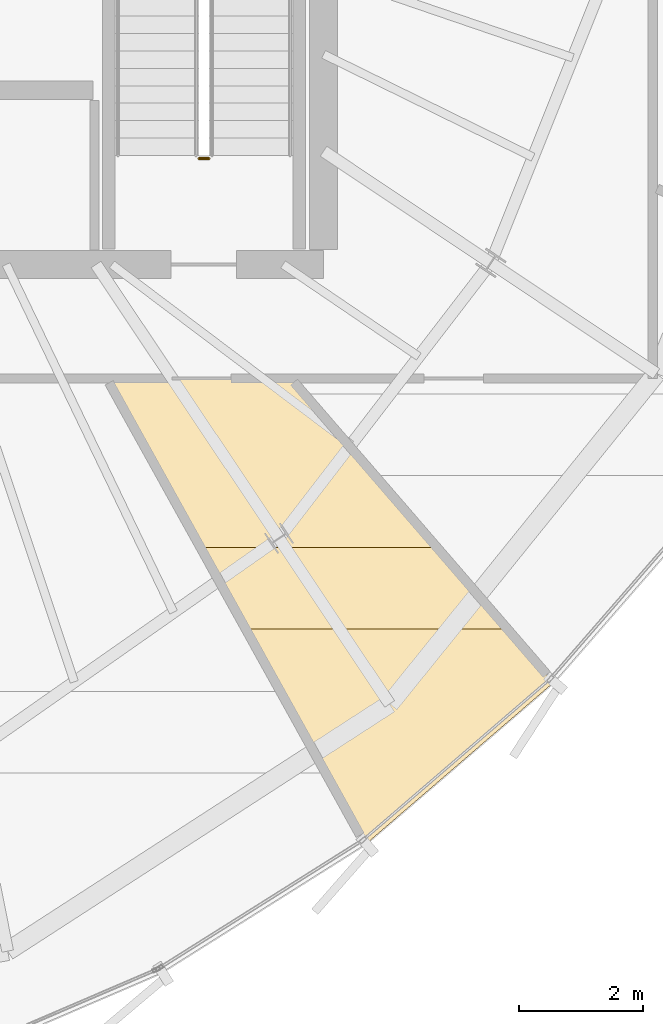
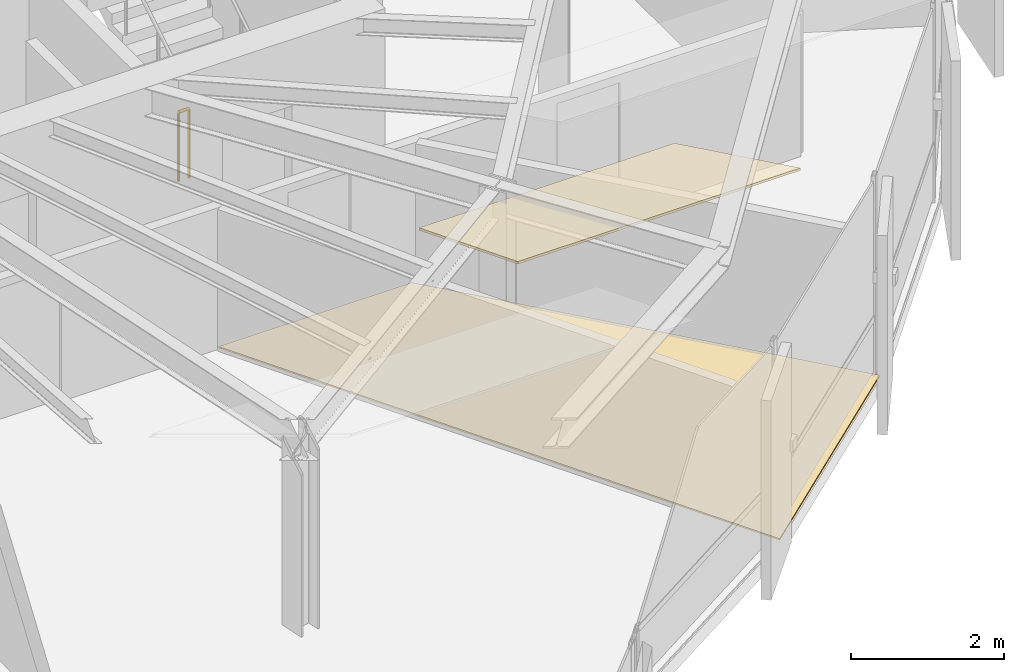
# One storey, part 33 of 35: 2 coverings, 1 railing.
"""IFC4 building model written with IfcOpenShell, lengths in metres."""

import ifcopenshell
import ifcopenshell.guid

model = None  # the IFC model being written
_history = None  # IfcOwnerHistory: only IFC2X3 demands one
_inside = {}  # id of a spatial element -> (the spatial element, [elements in it])
_under = {}  # id of a project, library or spatial element -> (it, [spatial elements below it])
_declared = {}  # id of a project -> (the project, [libraries it declares])
_typed = {}  # id of a type object -> (the type object, [elements of that type])
_made_of = {}  # id of a material, layer set ... -> (it, [elements and type objects made of it])


def new_model(schema):
    """Start an empty IFC model of exactly this schema.

    Asked for "IFC4X3", IfcOpenShell would pick the latest addendum, in which some entities
    have other attributes; the version numbers below select the first issue.
    IFC2X3 requires an IfcOwnerHistory on every rooted entity: one is made here for all.
    """
    global model, _history
    if schema == "IFC4X3":
        model = ifcopenshell.file(schema_version=(4, 3, 0, 0))
    else:
        model = ifcopenshell.file(schema=schema)
    _inside.clear()
    _under.clear()
    _declared.clear()
    _typed.clear()
    _made_of.clear()
    _history = None
    if model.schema == "IFC2X3":
        org = make("IfcOrganization", Name="unknown")
        user = make(
            "IfcPersonAndOrganization",
            ThePerson=make("IfcPerson", FamilyName="unknown"),
            TheOrganization=org,
        )
        app = make(
            "IfcApplication",
            ApplicationDeveloper=org,
            Version="unknown",
            ApplicationFullName="unknown",
            ApplicationIdentifier="unknown",
        )
        _history = make(
            "IfcOwnerHistory",
            OwningUser=user,
            OwningApplication=app,
            ChangeAction="ADDED",
            CreationDate=0,
        )
    return model


def make(cls, **values):
    """One entity of the class cls with the attributes given. An attribute that is None is left unset."""
    return model.create_entity(
        cls, **{name: value for name, value in values.items() if value is not None}
    )


def rooted(cls, **values):
    """An entity with a GlobalId (a new one), such as an element, a storey or a relation."""
    return make(cls, GlobalId=ifcopenshell.guid.new(), OwnerHistory=_history, **values)


def si_unit(unit_type, name, prefix=None):
    """IfcSIUnit, for example si_unit("LENGTHUNIT", "METRE", prefix="MILLI")."""
    return make("IfcSIUnit", UnitType=unit_type, Prefix=prefix, Name=name)


def assignment(units):
    """IfcUnitAssignment: the units of a project."""
    return None if units is None else make("IfcUnitAssignment", Units=units)


def point(xyz):
    """IfcCartesianPoint."""
    return None if xyz is None else make("IfcCartesianPoint", Coordinates=xyz)


def direction(xyz):
    """IfcDirection."""
    return None if xyz is None else make("IfcDirection", DirectionRatios=xyz)


def frame(location, z_axis=None, x_axis=None):
    """IfcAxis2Placement3D, a coordinate frame: its origin and axes. An axis left out is left unset."""
    return make(
        "IfcAxis2Placement3D",
        Location=point(location),
        Axis=direction(z_axis),
        RefDirection=direction(x_axis),
    )


def frame_2d(location, x_axis=None):
    """IfcAxis2Placement2D, a coordinate frame in the plane: its origin and x axis."""
    return make(
        "IfcAxis2Placement2D", Location=point(location), RefDirection=direction(x_axis)
    )


def origin():
    """The frame at (0, 0, 0) with its axes left unset."""
    return frame((0.0, 0.0, 0.0))


def origin_2d():
    """The frame at (0, 0) in the plane with its x axis left unset."""
    return frame_2d((0.0, 0.0))


def place(relative_to, where):
    """IfcLocalPlacement: puts the frame where relative to a parent placement (None: the world)."""
    return make(
        "IfcLocalPlacement", PlacementRelTo=relative_to, RelativePlacement=where
    )


def context(
    kind, dimensions, precision=None, world=None, true_north=None, identifier=None
):
    """IfcGeometricRepresentationContext, for example the 3D "Model" context."""
    return make(
        "IfcGeometricRepresentationContext",
        ContextIdentifier=identifier,
        ContextType=kind,
        CoordinateSpaceDimension=dimensions,
        Precision=precision,
        WorldCoordinateSystem=world,
        TrueNorth=true_north,
    )


def subcontext(parent, identifier, kind, view, scale=None):
    """IfcGeometricRepresentationSubContext, for example "Body" below "Model"."""
    return make(
        "IfcGeometricRepresentationSubContext",
        ContextIdentifier=identifier,
        ContextType=kind,
        ParentContext=parent,
        TargetScale=scale,
        TargetView=view,
    )


def project(units=None, contexts=None):
    """IfcProject with its units and contexts."""
    return rooted(
        "IfcProject",
        Name="project",
        RepresentationContexts=contexts,
        UnitsInContext=assignment(units),
    )


def spatial(cls, under=None, at=None, **own):
    """A site, building, storey or space (cls), placed at a placement, below another one or the project."""
    s = rooted(cls, ObjectPlacement=at, **own)
    if under is not None:
        _under.setdefault(under.id(), (under, []))[1].append(s)
    return s


def polyline(points):
    """IfcPolyline through the points."""
    return make("IfcPolyline", Points=[point(p) for p in points])


def profile(cls, at=None, kind="AREA", **sizes):
    """A parametric profile (cls). Its sizes go by their IFC names, for example OverallWidth=200.0."""
    return make(cls, ProfileType=kind, Position=at, **sizes)


def circle(**sizes):
    """IfcCircleProfileDef."""
    return profile("IfcCircleProfileDef", **sizes)


def outline(outer, holes=None, kind="AREA"):
    """IfcArbitraryClosedProfileDef: a profile drawn as a closed curve; with holes, ...WithVoids."""
    if holes is None:
        return make("IfcArbitraryClosedProfileDef", ProfileType=kind, OuterCurve=outer)
    return make(
        "IfcArbitraryProfileDefWithVoids",
        ProfileType=kind,
        OuterCurve=outer,
        InnerCurves=holes,
    )


def extrude(swept, where, along, depth):
    """IfcExtrudedAreaSolid: the profile swept, set in the frame where, extruded along a direction by depth."""
    return make(
        "IfcExtrudedAreaSolid",
        SweptArea=swept,
        Position=where,
        ExtrudedDirection=direction(along),
        Depth=depth,
    )


def shape(context_of_items, identifier, shape_type, items):
    """IfcShapeRepresentation: the items that make up one representation, for example the "Body"."""
    return make(
        "IfcShapeRepresentation",
        ContextOfItems=context_of_items,
        RepresentationIdentifier=identifier,
        RepresentationType=shape_type,
        Items=items,
    )


def material(Name=None, Category=None):
    """IfcMaterial."""
    return make("IfcMaterial", Name=Name, Category=Category)


def layer(
    of_material, thickness, ventilated=None, Name=None, Category=None, Priority=None
):
    """IfcMaterialLayer: one layer of a wall or slab, of a material (None: an air gap)."""
    return make(
        "IfcMaterialLayer",
        Material=of_material,
        LayerThickness=thickness,
        IsVentilated=ventilated,
        Name=Name,
        Category=Category,
        Priority=Priority,
    )


def layer_set(layers, Name=None):
    """IfcMaterialLayerSet."""
    return make("IfcMaterialLayerSet", MaterialLayers=layers, LayerSetName=Name)


def made_of(thing, what):
    """Note that an element or type object is made of a material, layer set ...; save() writes the relation."""
    if what is not None:
        _made_of.setdefault(what.id(), (what, []))[1].append(thing)
    return thing


def type_object(cls, material=None, **own):
    """A type object (cls), such as IfcWallType, which elements share."""
    return made_of(rooted(cls, **own), material)


def element(
    cls,
    number,
    at=None,
    inside=None,
    cuts=None,
    type_object=None,
    material=None,
    context=None,
    identifier="Body",
    shape_type=None,
    held_by="IfcProductDefinitionShape",
    body=None,
    shapes=None,
    **own,
):
    """One element of the class cls, such as IfcWall. Its Tag is "e" and its number.

    at: its placement. inside: the storey or other place that contains it. cuts: it is an
    opening in that element (IfcRelVoidsElement). A single representation is given by context,
    identifier, shape_type and body (its items); several are given by shapes. held_by: the class
    of the entity that holds the representations. save() writes the other relations.
    """
    e = rooted(cls, Tag="e%d" % number, ObjectPlacement=at, **own)
    if body is not None:
        shapes = [shape(context, identifier, shape_type, body)]
    if shapes is not None:
        e.Representation = make(held_by, Representations=shapes)
    if inside is not None:
        _inside.setdefault(inside.id(), (inside, []))[1].append(e)
    if cuts is not None:
        rooted(
            "IfcRelVoidsElement", RelatingBuildingElement=cuts, RelatedOpeningElement=e
        )
    if type_object is not None:
        _typed.setdefault(type_object.id(), (type_object, []))[1].append(e)
    return made_of(e, material)


def aggregate(whole, parts):
    """IfcRelAggregates: a whole, such as a stair, and the parts it consists of."""
    return rooted("IfcRelAggregates", RelatingObject=whole, RelatedObjects=parts)


def save(model, path):
    """Write the relations noted so far, then the file.

    IfcRelAggregates (storeys below a building ...), IfcRelContainedInSpatialStructure (elements
    in a storey), IfcRelDefinesByType, IfcRelAssociatesMaterial and IfcRelDeclares: one each for
    every whole, place, type object, material and project.
    """
    for whole, parts in _under.values():
        aggregate(whole, parts)
    for where, things in _inside.values():
        rooted(
            "IfcRelContainedInSpatialStructure",
            RelatedElements=things,
            RelatingStructure=where,
        )
    for kind, things in _typed.values():
        rooted("IfcRelDefinesByType", RelatedObjects=things, RelatingType=kind)
    for what, things in _made_of.values():
        rooted("IfcRelAssociatesMaterial", RelatedObjects=things, RelatingMaterial=what)
    for by, libraries in _declared.values():
        rooted("IfcRelDeclares", RelatingContext=by, RelatedDefinitions=libraries)
    model.write(path)


model = new_model("IFC4")

# Units and contexts
model_context = context("Model", 3, precision=1e-05, world=origin(), true_north=direction((0.0, 1.0)))
body_context = subcontext(model_context, "Body", "Model", "MODEL_VIEW")
ifc_project = project(units=[si_unit("LENGTHUNIT", "METRE"), si_unit("AREAUNIT", "SQUARE_METRE"), si_unit("VOLUMEUNIT", "CUBIC_METRE"), si_unit("PLANEANGLEUNIT", "RADIAN"), si_unit("MASSUNIT", "GRAM", prefix="KILO"), si_unit("THERMODYNAMICTEMPERATUREUNIT", "KELVIN")], contexts=[model_context])

# Site, building, storey
site_placement = place(None, origin())
site = spatial("IfcSite", under=ifc_project, at=site_placement, CompositionType="ELEMENT")
building_placement = place(site_placement, origin())
building = spatial("IfcBuilding", under=site, at=building_placement, Name="Kethvar Cultural Tower", CompositionType="ELEMENT")
storey_placement = place(building_placement, frame((0.0, 0.0, 249.10009765625)))
storey = spatial("IfcBuildingStorey", under=building, at=storey_placement, Name="L65", CompositionType="ELEMENT", Elevation=249.10009765625)

# Coverings
ifc_material_1 = material(Name="Acoustic Mineral Fibre Ceiling")
ifc_layer_1 = layer(ifc_material_1, 0.0400390625, Name="Acoustic Mineral Fibre Ceiling")
ifc_layer_set_1 = layer_set([ifc_layer_1], Name="Acoustic Mineral Fibre Ceiling (40 mm)")
covering_type_1 = type_object("IfcCoveringType", Name="CV-ACOUSTIC-CEIL", PredefinedType="CEILING", material=ifc_layer_set_1)
covering_1_placement = place(storey_placement, frame((0.0, 0.0, 3.0)))
element("IfcCovering", 1, at=covering_1_placement, inside=storey, type_object=covering_type_1, Name="L65 Room 05 Acoustic Ceiling Panel", PredefinedType="CEILING", context=body_context, shape_type="SweptSolid", body=[
    extrude(outline(polyline([(53.61181640625, 15.55029296875), (57.46044921875, 15.55029296875), (58.59765625, 14.240234375), (54.3427734375, 14.240234375), (53.61181640625, 15.55029296875)])), origin(), (0.0, 0.0, 1.0), 0.039794921875),
])
ifc_material_2 = material(Name="Architectural Oak Timber", Category="wood")
ifc_layer_2 = layer(ifc_material_2, 0.02490234375, Name="Architectural Oak Timber", Category="wood")
ifc_layer_set_2 = layer_set([ifc_layer_2], Name="Architectural Oak Timber (25 mm)")
covering_type_2 = type_object("IfcCoveringType", Name="CV-OAK-FLOOR", PredefinedType="FLOORING", material=ifc_layer_set_2)
covering_2_placement = place(storey_placement, origin())
element("IfcCovering", 2, at=covering_2_placement, inside=storey, type_object=covering_type_2, Name="L65 Room 05 Floor Finish", PredefinedType="FLOORING", context=body_context, shape_type="SweptSolid", body=[
    extrude(outline(polyline([(56.303466796875, 10.80810546875), (52.15185546875, 18.2490234375), (55.064697265625, 18.2490234375), (59.291748046875, 13.379638671875), (56.303466796875, 10.80810546875)])), origin(), (0.0, 0.0, 1.0), 0.02490234375),
])

# Railing
ifc_material_3 = material(Name="Steel S355J2", Category="steel")
railing_type = type_object("IfcRailingType", Name="RL-STAIR-GUARD", PredefinedType="BALUSTRADE", material=ifc_material_3)
railing_placement = place(storey_placement, frame((53.760009765625, 21.800048828125, 0.0)))
element("IfcRailing", 3, at=railing_placement, inside=storey, type_object=railing_type, Name="L65 ST-02 stair guard 4", PredefinedType="BALUSTRADE", context=body_context, shape_type="SweptSolid", body=[
    extrude(circle(Radius=0.02392578125, at=origin_2d()), frame((0.0, 0.0, 1.09619140625), z_axis=(-1.0, 0.0, 0.0), x_axis=(0.0, -1.0, 0.0)), (0.0, 0.0, 1.0), 0.159912109375),
    extrude(circle(Radius=0.02099609375, at=origin_2d()), origin(), (0.0, 0.0, 1.0), 1.072021484375),
    extrude(circle(Radius=0.02099609375, at=origin_2d()), frame((-0.159912109375, 0.0, 0.0)), (0.0, 0.0, 1.0), 1.072021484375),
])

save(model, "model.ifc")
